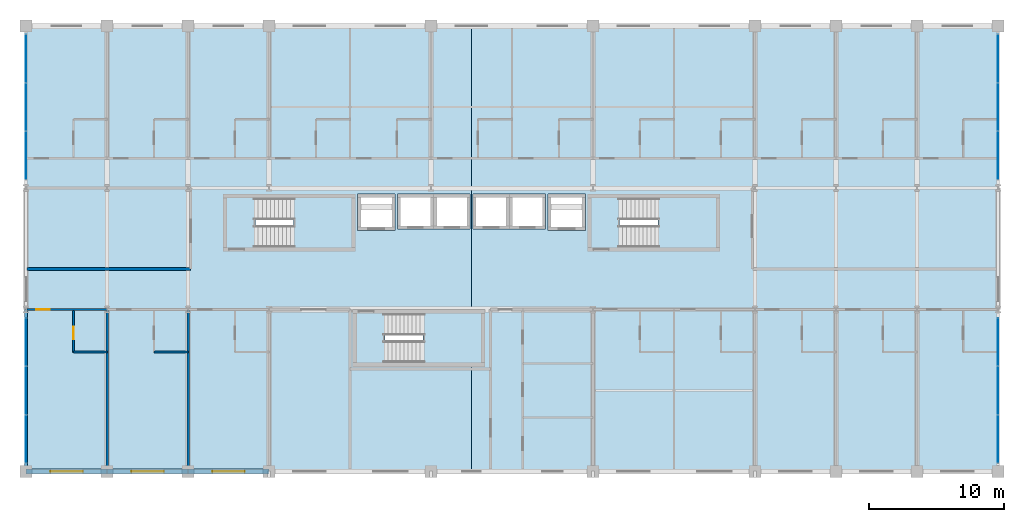
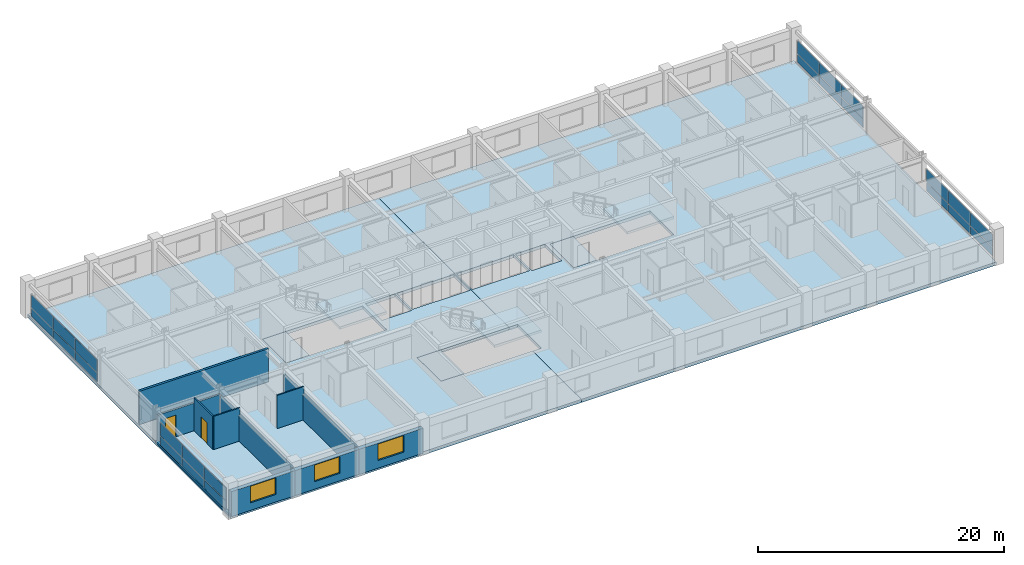
# One storey, part 15 of 22: 24 plates, 11 walls, 8 slabs, 3 windows, 2 doors, 5 openings, 7 elements without a shape of their own.
"""IFC4 building model written with IfcOpenShell, lengths in metres."""

import ifcopenshell
import ifcopenshell.guid

model = None  # the IFC model being written
_history = None  # IfcOwnerHistory: only IFC2X3 demands one
_inside = {}  # id of a spatial element -> (the spatial element, [elements in it])
_under = {}  # id of a project, library or spatial element -> (it, [spatial elements below it])
_declared = {}  # id of a project -> (the project, [libraries it declares])
_typed = {}  # id of a type object -> (the type object, [elements of that type])
_made_of = {}  # id of a material, layer set ... -> (it, [elements and type objects made of it])


def new_model(schema):
    """Start an empty IFC model of exactly this schema.

    Asked for "IFC4X3", IfcOpenShell would pick the latest addendum, in which some entities
    have other attributes; the version numbers below select the first issue.
    IFC2X3 requires an IfcOwnerHistory on every rooted entity: one is made here for all.
    """
    global model, _history
    if schema == "IFC4X3":
        model = ifcopenshell.file(schema_version=(4, 3, 0, 0))
    else:
        model = ifcopenshell.file(schema=schema)
    _inside.clear()
    _under.clear()
    _declared.clear()
    _typed.clear()
    _made_of.clear()
    _history = None
    if model.schema == "IFC2X3":
        org = make("IfcOrganization", Name="unknown")
        user = make(
            "IfcPersonAndOrganization",
            ThePerson=make("IfcPerson", FamilyName="unknown"),
            TheOrganization=org,
        )
        app = make(
            "IfcApplication",
            ApplicationDeveloper=org,
            Version="unknown",
            ApplicationFullName="unknown",
            ApplicationIdentifier="unknown",
        )
        _history = make(
            "IfcOwnerHistory",
            OwningUser=user,
            OwningApplication=app,
            ChangeAction="ADDED",
            CreationDate=0,
        )
    return model


def make(cls, **values):
    """One entity of the class cls with the attributes given. An attribute that is None is left unset."""
    return model.create_entity(
        cls, **{name: value for name, value in values.items() if value is not None}
    )


def rooted(cls, **values):
    """An entity with a GlobalId (a new one), such as an element, a storey or a relation."""
    return make(cls, GlobalId=ifcopenshell.guid.new(), OwnerHistory=_history, **values)


def si_unit(unit_type, name, prefix=None):
    """IfcSIUnit, for example si_unit("LENGTHUNIT", "METRE", prefix="MILLI")."""
    return make("IfcSIUnit", UnitType=unit_type, Prefix=prefix, Name=name)


def assignment(units):
    """IfcUnitAssignment: the units of a project."""
    return None if units is None else make("IfcUnitAssignment", Units=units)


def point(xyz):
    """IfcCartesianPoint."""
    return None if xyz is None else make("IfcCartesianPoint", Coordinates=xyz)


def direction(xyz):
    """IfcDirection."""
    return None if xyz is None else make("IfcDirection", DirectionRatios=xyz)


def frame(location, z_axis=None, x_axis=None):
    """IfcAxis2Placement3D, a coordinate frame: its origin and axes. An axis left out is left unset."""
    return make(
        "IfcAxis2Placement3D",
        Location=point(location),
        Axis=direction(z_axis),
        RefDirection=direction(x_axis),
    )


def frame_2d(location, x_axis=None):
    """IfcAxis2Placement2D, a coordinate frame in the plane: its origin and x axis."""
    return make(
        "IfcAxis2Placement2D", Location=point(location), RefDirection=direction(x_axis)
    )


def origin():
    """The frame at (0, 0, 0) with its axes left unset."""
    return frame((0.0, 0.0, 0.0))


def origin_2d():
    """The frame at (0, 0) in the plane with its x axis left unset."""
    return frame_2d((0.0, 0.0))


def place(relative_to, where):
    """IfcLocalPlacement: puts the frame where relative to a parent placement (None: the world)."""
    return make(
        "IfcLocalPlacement", PlacementRelTo=relative_to, RelativePlacement=where
    )


def context(
    kind, dimensions, precision=None, world=None, true_north=None, identifier=None
):
    """IfcGeometricRepresentationContext, for example the 3D "Model" context."""
    return make(
        "IfcGeometricRepresentationContext",
        ContextIdentifier=identifier,
        ContextType=kind,
        CoordinateSpaceDimension=dimensions,
        Precision=precision,
        WorldCoordinateSystem=world,
        TrueNorth=true_north,
    )


def subcontext(parent, identifier, kind, view, scale=None):
    """IfcGeometricRepresentationSubContext, for example "Body" below "Model"."""
    return make(
        "IfcGeometricRepresentationSubContext",
        ContextIdentifier=identifier,
        ContextType=kind,
        ParentContext=parent,
        TargetScale=scale,
        TargetView=view,
    )


def project(units=None, contexts=None):
    """IfcProject with its units and contexts."""
    return rooted(
        "IfcProject",
        Name="project",
        RepresentationContexts=contexts,
        UnitsInContext=assignment(units),
    )


def spatial(cls, under=None, at=None, **own):
    """A site, building, storey or space (cls), placed at a placement, below another one or the project."""
    s = rooted(cls, ObjectPlacement=at, **own)
    if under is not None:
        _under.setdefault(under.id(), (under, []))[1].append(s)
    return s


def polyline(points):
    """IfcPolyline through the points."""
    return make("IfcPolyline", Points=[point(p) for p in points])


def profile(cls, at=None, kind="AREA", **sizes):
    """A parametric profile (cls). Its sizes go by their IFC names, for example OverallWidth=200.0."""
    return make(cls, ProfileType=kind, Position=at, **sizes)


def rectangle(**sizes):
    """IfcRectangleProfileDef."""
    return profile("IfcRectangleProfileDef", **sizes)


def outline(outer, holes=None, kind="AREA"):
    """IfcArbitraryClosedProfileDef: a profile drawn as a closed curve; with holes, ...WithVoids."""
    if holes is None:
        return make("IfcArbitraryClosedProfileDef", ProfileType=kind, OuterCurve=outer)
    return make(
        "IfcArbitraryProfileDefWithVoids",
        ProfileType=kind,
        OuterCurve=outer,
        InnerCurves=holes,
    )


def extrude(swept, where, along, depth):
    """IfcExtrudedAreaSolid: the profile swept, set in the frame where, extruded along a direction by depth."""
    return make(
        "IfcExtrudedAreaSolid",
        SweptArea=swept,
        Position=where,
        ExtrudedDirection=direction(along),
        Depth=depth,
    )


def shape(context_of_items, identifier, shape_type, items):
    """IfcShapeRepresentation: the items that make up one representation, for example the "Body"."""
    return make(
        "IfcShapeRepresentation",
        ContextOfItems=context_of_items,
        RepresentationIdentifier=identifier,
        RepresentationType=shape_type,
        Items=items,
    )


def material(Name=None, Category=None):
    """IfcMaterial."""
    return make("IfcMaterial", Name=Name, Category=Category)


def layer(
    of_material, thickness, ventilated=None, Name=None, Category=None, Priority=None
):
    """IfcMaterialLayer: one layer of a wall or slab, of a material (None: an air gap)."""
    return make(
        "IfcMaterialLayer",
        Material=of_material,
        LayerThickness=thickness,
        IsVentilated=ventilated,
        Name=Name,
        Category=Category,
        Priority=Priority,
    )


def layer_set(layers, Name=None):
    """IfcMaterialLayerSet."""
    return make("IfcMaterialLayerSet", MaterialLayers=layers, LayerSetName=Name)


def made_of(thing, what):
    """Note that an element or type object is made of a material, layer set ...; save() writes the relation."""
    if what is not None:
        _made_of.setdefault(what.id(), (what, []))[1].append(thing)
    return thing


def type_object(cls, material=None, **own):
    """A type object (cls), such as IfcWallType, which elements share."""
    return made_of(rooted(cls, **own), material)


def element(
    cls,
    number,
    at=None,
    inside=None,
    cuts=None,
    type_object=None,
    material=None,
    context=None,
    identifier="Body",
    shape_type=None,
    held_by="IfcProductDefinitionShape",
    body=None,
    shapes=None,
    **own,
):
    """One element of the class cls, such as IfcWall. Its Tag is "e" and its number.

    at: its placement. inside: the storey or other place that contains it. cuts: it is an
    opening in that element (IfcRelVoidsElement). A single representation is given by context,
    identifier, shape_type and body (its items); several are given by shapes. held_by: the class
    of the entity that holds the representations. save() writes the other relations.
    """
    e = rooted(cls, Tag="e%d" % number, ObjectPlacement=at, **own)
    if body is not None:
        shapes = [shape(context, identifier, shape_type, body)]
    if shapes is not None:
        e.Representation = make(held_by, Representations=shapes)
    if inside is not None:
        _inside.setdefault(inside.id(), (inside, []))[1].append(e)
    if cuts is not None:
        rooted(
            "IfcRelVoidsElement", RelatingBuildingElement=cuts, RelatedOpeningElement=e
        )
    if type_object is not None:
        _typed.setdefault(type_object.id(), (type_object, []))[1].append(e)
    return made_of(e, material)


def fill(opening, filler):
    """IfcRelFillsElement: the door or window that sits in an opening."""
    return rooted(
        "IfcRelFillsElement",
        RelatingOpeningElement=opening,
        RelatedBuildingElement=filler,
    )


def aggregate(whole, parts):
    """IfcRelAggregates: a whole, such as a stair, and the parts it consists of."""
    return rooted("IfcRelAggregates", RelatingObject=whole, RelatedObjects=parts)


def save(model, path):
    """Write the relations noted so far, then the file.

    IfcRelAggregates (storeys below a building ...), IfcRelContainedInSpatialStructure (elements
    in a storey), IfcRelDefinesByType, IfcRelAssociatesMaterial and IfcRelDeclares: one each for
    every whole, place, type object, material and project.
    """
    for whole, parts in _under.values():
        aggregate(whole, parts)
    for where, things in _inside.values():
        rooted(
            "IfcRelContainedInSpatialStructure",
            RelatedElements=things,
            RelatingStructure=where,
        )
    for kind, things in _typed.values():
        rooted("IfcRelDefinesByType", RelatedObjects=things, RelatingType=kind)
    for what, things in _made_of.values():
        rooted("IfcRelAssociatesMaterial", RelatedObjects=things, RelatingMaterial=what)
    for by, libraries in _declared.values():
        rooted("IfcRelDeclares", RelatingContext=by, RelatedDefinitions=libraries)
    model.write(path)


model = new_model("IFC4")

# Units and contexts
model_context = context("Model", 3, precision=1e-05, world=origin(), true_north=direction((0.0, 1.0)))
body_context = subcontext(model_context, "Body", "Model", "MODEL_VIEW")
ifc_project = project(units=[si_unit("LENGTHUNIT", "METRE"), si_unit("AREAUNIT", "SQUARE_METRE"), si_unit("VOLUMEUNIT", "CUBIC_METRE"), si_unit("PLANEANGLEUNIT", "RADIAN"), si_unit("MASSUNIT", "GRAM", prefix="KILO")], contexts=[model_context])

# Site, building, storey
site_placement = place(None, origin())
site = spatial("IfcSite", under=ifc_project, at=site_placement, CompositionType="ELEMENT")
building_placement = place(site_placement, origin())
building = spatial("IfcBuilding", under=site, at=building_placement, Name="Kaldorvane Square Convention Centre", CompositionType="ELEMENT")
storey_placement = place(building_placement, frame((0.0, 0.0, 31.199996948242188)))
storey = spatial("IfcBuildingStorey", under=building, at=storey_placement, Name="L06", CompositionType="ELEMENT", Elevation=31.199996948242188)

# Curtain wall, plates
ifc_material_1 = material(Name="Anodized Aluminum and Low-E Insulated Glazing", Category="aluminium")
curtain_wall_type_1 = type_object("IfcCurtainWallType", Name="CW-UNI-HTL-A", PredefinedType="USERDEFINED", material=ifc_material_1)
curtain_wall_1_placement = place(storey_placement, origin())
curtain_wall_1 = element("IfcCurtainWall", 1, at=curtain_wall_1_placement, inside=storey, type_object=curtain_wall_type_1, Name="Curtain Wall CW-10 (L06)", ObjectType="UNITISED GLAZING", PredefinedType="USERDEFINED")
ifc_layer_1 = layer(ifc_material_1, 0.0240020751953125)
ifc_layer_set_1 = layer_set([ifc_layer_1], Name="Anodized Aluminum and Low-E Insulated Glazing")
plate_type_1 = type_object("IfcPlateType", Name="CW-PNL-11", PredefinedType="CURTAIN_PANEL", material=ifc_layer_set_1)
plate_1_placement = place(storey_placement, frame((96.0, 86.41499328613281, 0.2050018310546875), z_axis=(0.0, 0.0, 1.0), x_axis=(0.0, 1.0, 0.0)))
plate_1 = element("IfcPlate", 2, at=plate_1_placement, type_object=plate_type_1, Name="CW-10 panel 1.1", PredefinedType="CURTAIN_PANEL", context=body_context, shape_type="SweptSolid", body=[
    extrude(rectangle(XDim=3.5099945068359375, YDim=0.0240020751953125, at=origin_2d()), origin(), (0.0, 0.0, 1.0), 0.8175048828125),
])
plate_2_placement = place(storey_placement, frame((96.0, 86.41499328613281, 1.0774993896484375), z_axis=(0.0, 0.0, 1.0), x_axis=(0.0, 1.0, 0.0)))
plate_2 = element("IfcPlate", 3, at=plate_2_placement, type_object=plate_type_1, Name="CW-10 panel 1.2", PredefinedType="CURTAIN_PANEL", context=body_context, shape_type="SweptSolid", body=[
    extrude(rectangle(XDim=3.5099945068359375, YDim=0.0240020751953125, at=origin_2d()), origin(), (0.0, 0.0, 1.0), 1.277496337890625),
])
plate_3_placement = place(storey_placement, frame((96.0, 90.0, 0.2050018310546875), z_axis=(0.0, 0.0, 1.0), x_axis=(0.0, 1.0, 0.0)))
plate_3 = element("IfcPlate", 4, at=plate_3_placement, type_object=plate_type_1, Name="CW-10 panel 2.1", PredefinedType="CURTAIN_PANEL", context=body_context, shape_type="SweptSolid", body=[
    extrude(rectangle(XDim=3.5399932861328125, YDim=0.0240020751953125, at=origin_2d()), origin(), (0.0, 0.0, 1.0), 0.8175048828125),
])
plate_4_placement = place(storey_placement, frame((96.0, 90.0, 1.0774993896484375), z_axis=(0.0, 0.0, 1.0), x_axis=(0.0, 1.0, 0.0)))
plate_4 = element("IfcPlate", 5, at=plate_4_placement, type_object=plate_type_1, Name="CW-10 panel 2.2", PredefinedType="CURTAIN_PANEL", context=body_context, shape_type="SweptSolid", body=[
    extrude(rectangle(XDim=3.5399932861328125, YDim=0.0240020751953125, at=origin_2d()), origin(), (0.0, 0.0, 1.0), 1.277496337890625),
])
plate_5_placement = place(storey_placement, frame((96.0, 93.58500671386719, 0.2050018310546875), z_axis=(0.0, 0.0, 1.0), x_axis=(0.0, 1.0, 0.0)))
plate_5 = element("IfcPlate", 6, at=plate_5_placement, type_object=plate_type_1, Name="CW-10 panel 3.1", PredefinedType="CURTAIN_PANEL", context=body_context, shape_type="SweptSolid", body=[
    extrude(rectangle(XDim=3.5099945068359375, YDim=0.0240020751953125, at=origin_2d()), origin(), (0.0, 0.0, 1.0), 0.8175048828125),
])
plate_6_placement = place(storey_placement, frame((96.0, 93.58500671386719, 1.0774993896484375), z_axis=(0.0, 0.0, 1.0), x_axis=(0.0, 1.0, 0.0)))
plate_6 = element("IfcPlate", 7, at=plate_6_placement, type_object=plate_type_1, Name="CW-10 panel 3.2", PredefinedType="CURTAIN_PANEL", context=body_context, shape_type="SweptSolid", body=[
    extrude(rectangle(XDim=3.5099945068359375, YDim=0.0240020751953125, at=origin_2d()), origin(), (0.0, 0.0, 1.0), 1.277496337890625),
])
aggregate(curtain_wall_1, [plate_1, plate_2, plate_3, plate_4, plate_5, plate_6])

curtain_wall_2_placement = place(storey_placement, origin())
curtain_wall_2 = element("IfcCurtainWall", 8, at=curtain_wall_2_placement, inside=storey, type_object=curtain_wall_type_1, Name="Curtain Wall CW-10 (L06)", ObjectType="UNITISED GLAZING", PredefinedType="USERDEFINED")
plate_7_placement = place(storey_placement, frame((96.0, 107.41499328613281, 0.2050018310546875), z_axis=(0.0, 0.0, 1.0), x_axis=(0.0, 1.0, 0.0)))
plate_7 = element("IfcPlate", 9, at=plate_7_placement, type_object=plate_type_1, Name="CW-10 panel 1.1", PredefinedType="CURTAIN_PANEL", context=body_context, shape_type="SweptSolid", body=[
    extrude(rectangle(XDim=3.5099945068359375, YDim=0.0240020751953125, at=origin_2d()), origin(), (0.0, 0.0, 1.0), 0.8175048828125),
])
plate_8_placement = place(storey_placement, frame((96.0, 107.41499328613281, 1.0774993896484375), z_axis=(0.0, 0.0, 1.0), x_axis=(0.0, 1.0, 0.0)))
plate_8 = element("IfcPlate", 10, at=plate_8_placement, type_object=plate_type_1, Name="CW-10 panel 1.2", PredefinedType="CURTAIN_PANEL", context=body_context, shape_type="SweptSolid", body=[
    extrude(rectangle(XDim=3.5099945068359375, YDim=0.0240020751953125, at=origin_2d()), origin(), (0.0, 0.0, 1.0), 1.277496337890625),
])
plate_9_placement = place(storey_placement, frame((96.0, 111.0, 0.2050018310546875), z_axis=(0.0, 0.0, 1.0), x_axis=(0.0, 1.0, 0.0)))
plate_9 = element("IfcPlate", 11, at=plate_9_placement, type_object=plate_type_1, Name="CW-10 panel 2.1", PredefinedType="CURTAIN_PANEL", context=body_context, shape_type="SweptSolid", body=[
    extrude(rectangle(XDim=3.5399932861328125, YDim=0.0240020751953125, at=origin_2d()), origin(), (0.0, 0.0, 1.0), 0.8175048828125),
])
plate_10_placement = place(storey_placement, frame((96.0, 111.0, 1.0774993896484375), z_axis=(0.0, 0.0, 1.0), x_axis=(0.0, 1.0, 0.0)))
plate_10 = element("IfcPlate", 12, at=plate_10_placement, type_object=plate_type_1, Name="CW-10 panel 2.2", PredefinedType="CURTAIN_PANEL", context=body_context, shape_type="SweptSolid", body=[
    extrude(rectangle(XDim=3.5399932861328125, YDim=0.0240020751953125, at=origin_2d()), origin(), (0.0, 0.0, 1.0), 1.277496337890625),
])
plate_11_placement = place(storey_placement, frame((96.0, 114.58500671386719, 0.2050018310546875), z_axis=(0.0, 0.0, 1.0), x_axis=(0.0, 1.0, 0.0)))
plate_11 = element("IfcPlate", 13, at=plate_11_placement, type_object=plate_type_1, Name="CW-10 panel 3.1", PredefinedType="CURTAIN_PANEL", context=body_context, shape_type="SweptSolid", body=[
    extrude(rectangle(XDim=3.5099945068359375, YDim=0.0240020751953125, at=origin_2d()), origin(), (0.0, 0.0, 1.0), 0.8175048828125),
])
plate_12_placement = place(storey_placement, frame((96.0, 114.58500671386719, 1.0774993896484375), z_axis=(0.0, 0.0, 1.0), x_axis=(0.0, 1.0, 0.0)))
plate_12 = element("IfcPlate", 14, at=plate_12_placement, type_object=plate_type_1, Name="CW-10 panel 3.2", PredefinedType="CURTAIN_PANEL", context=body_context, shape_type="SweptSolid", body=[
    extrude(rectangle(XDim=3.5099945068359375, YDim=0.0240020751953125, at=origin_2d()), origin(), (0.0, 0.0, 1.0), 1.277496337890625),
])
aggregate(curtain_wall_2, [plate_7, plate_8, plate_9, plate_10, plate_11, plate_12])

curtain_wall_type_2 = type_object("IfcCurtainWallType", Name="CW-UNI-HTL-B", PredefinedType="USERDEFINED", material=ifc_material_1)
curtain_wall_3_placement = place(storey_placement, origin())
curtain_wall_3 = element("IfcCurtainWall", 15, at=curtain_wall_3_placement, inside=storey, type_object=curtain_wall_type_2, Name="Curtain Wall CW-11 (L06)", ObjectType="UNITISED GLAZING", PredefinedType="USERDEFINED")
ifc_layer_2 = layer(ifc_material_1, 0.0460052490234375)
ifc_layer_set_2 = layer_set([ifc_layer_2], Name="Anodized Aluminum and Low-E Insulated Glazing")
plate_type_2 = type_object("IfcPlateType", Name="CW-PNL-12", PredefinedType="CURTAIN_PANEL", material=ifc_layer_set_2)
plate_13_placement = place(storey_placement, frame((24.0, 93.58500671386719, 0.2050018310546875), z_axis=(0.0, 0.0, 1.0), x_axis=(0.0, -1.0, 0.0)))
plate_13 = element("IfcPlate", 16, at=plate_13_placement, type_object=plate_type_2, Name="CW-11 panel 1.1", PredefinedType="CURTAIN_PANEL", context=body_context, shape_type="SweptSolid", body=[
    extrude(rectangle(XDim=3.5099945068359375, YDim=0.0460052490234375, at=origin_2d()), origin(), (0.0, 0.0, 1.0), 0.8175048828125),
])
plate_14_placement = place(storey_placement, frame((24.0, 93.58500671386719, 1.0774993896484375), z_axis=(0.0, 0.0, 1.0), x_axis=(0.0, -1.0, 0.0)))
plate_14 = element("IfcPlate", 17, at=plate_14_placement, type_object=plate_type_2, Name="CW-11 panel 1.2", PredefinedType="CURTAIN_PANEL", context=body_context, shape_type="SweptSolid", body=[
    extrude(rectangle(XDim=3.5099945068359375, YDim=0.0460052490234375, at=origin_2d()), origin(), (0.0, 0.0, 1.0), 1.277496337890625),
])
plate_15_placement = place(storey_placement, frame((24.0, 90.0, 0.2050018310546875), z_axis=(0.0, 0.0, 1.0), x_axis=(0.0, -1.0, 0.0)))
plate_15 = element("IfcPlate", 18, at=plate_15_placement, type_object=plate_type_2, Name="CW-11 panel 2.1", PredefinedType="CURTAIN_PANEL", context=body_context, shape_type="SweptSolid", body=[
    extrude(rectangle(XDim=3.5399932861328125, YDim=0.0460052490234375, at=origin_2d()), origin(), (0.0, 0.0, 1.0), 0.8175048828125),
])
plate_16_placement = place(storey_placement, frame((24.0, 90.0, 1.0774993896484375), z_axis=(0.0, 0.0, 1.0), x_axis=(0.0, -1.0, 0.0)))
plate_16 = element("IfcPlate", 19, at=plate_16_placement, type_object=plate_type_2, Name="CW-11 panel 2.2", PredefinedType="CURTAIN_PANEL", context=body_context, shape_type="SweptSolid", body=[
    extrude(rectangle(XDim=3.5399932861328125, YDim=0.0460052490234375, at=origin_2d()), origin(), (0.0, 0.0, 1.0), 1.277496337890625),
])
plate_17_placement = place(storey_placement, frame((24.0, 86.41499328613281, 0.2050018310546875), z_axis=(0.0, 0.0, 1.0), x_axis=(0.0, -1.0, 0.0)))
plate_17 = element("IfcPlate", 20, at=plate_17_placement, type_object=plate_type_2, Name="CW-11 panel 3.1", PredefinedType="CURTAIN_PANEL", context=body_context, shape_type="SweptSolid", body=[
    extrude(rectangle(XDim=3.5099945068359375, YDim=0.0460052490234375, at=origin_2d()), origin(), (0.0, 0.0, 1.0), 0.8175048828125),
])
plate_18_placement = place(storey_placement, frame((24.0, 86.41499328613281, 1.0774993896484375), z_axis=(0.0, 0.0, 1.0), x_axis=(0.0, -1.0, 0.0)))
plate_18 = element("IfcPlate", 21, at=plate_18_placement, type_object=plate_type_2, Name="CW-11 panel 3.2", PredefinedType="CURTAIN_PANEL", context=body_context, shape_type="SweptSolid", body=[
    extrude(rectangle(XDim=3.5099945068359375, YDim=0.0460052490234375, at=origin_2d()), origin(), (0.0, 0.0, 1.0), 1.277496337890625),
])
aggregate(curtain_wall_3, [plate_13, plate_14, plate_15, plate_16, plate_17, plate_18])

curtain_wall_4_placement = place(storey_placement, origin())
curtain_wall_4 = element("IfcCurtainWall", 22, at=curtain_wall_4_placement, inside=storey, type_object=curtain_wall_type_2, Name="Curtain Wall CW-11 (L06)", ObjectType="UNITISED GLAZING", PredefinedType="USERDEFINED")
plate_19_placement = place(storey_placement, frame((24.0, 114.58500671386719, 0.2050018310546875), z_axis=(0.0, 0.0, 1.0), x_axis=(0.0, -1.0, 0.0)))
plate_19 = element("IfcPlate", 23, at=plate_19_placement, type_object=plate_type_2, Name="CW-11 panel 1.1", PredefinedType="CURTAIN_PANEL", context=body_context, shape_type="SweptSolid", body=[
    extrude(rectangle(XDim=3.5099945068359375, YDim=0.0460052490234375, at=origin_2d()), origin(), (0.0, 0.0, 1.0), 0.8175048828125),
])
plate_20_placement = place(storey_placement, frame((24.0, 114.58500671386719, 1.0774993896484375), z_axis=(0.0, 0.0, 1.0), x_axis=(0.0, -1.0, 0.0)))
plate_20 = element("IfcPlate", 24, at=plate_20_placement, type_object=plate_type_2, Name="CW-11 panel 1.2", PredefinedType="CURTAIN_PANEL", context=body_context, shape_type="SweptSolid", body=[
    extrude(rectangle(XDim=3.5099945068359375, YDim=0.0460052490234375, at=origin_2d()), origin(), (0.0, 0.0, 1.0), 1.277496337890625),
])
plate_21_placement = place(storey_placement, frame((24.0, 111.0, 0.2050018310546875), z_axis=(0.0, 0.0, 1.0), x_axis=(0.0, -1.0, 0.0)))
plate_21 = element("IfcPlate", 25, at=plate_21_placement, type_object=plate_type_2, Name="CW-11 panel 2.1", PredefinedType="CURTAIN_PANEL", context=body_context, shape_type="SweptSolid", body=[
    extrude(rectangle(XDim=3.5399932861328125, YDim=0.0460052490234375, at=origin_2d()), origin(), (0.0, 0.0, 1.0), 0.8175048828125),
])
plate_22_placement = place(storey_placement, frame((24.0, 111.0, 1.0774993896484375), z_axis=(0.0, 0.0, 1.0), x_axis=(0.0, -1.0, 0.0)))
plate_22 = element("IfcPlate", 26, at=plate_22_placement, type_object=plate_type_2, Name="CW-11 panel 2.2", PredefinedType="CURTAIN_PANEL", context=body_context, shape_type="SweptSolid", body=[
    extrude(rectangle(XDim=3.5399932861328125, YDim=0.0460052490234375, at=origin_2d()), origin(), (0.0, 0.0, 1.0), 1.277496337890625),
])
plate_23_placement = place(storey_placement, frame((24.0, 107.41499328613281, 0.2050018310546875), z_axis=(0.0, 0.0, 1.0), x_axis=(0.0, -1.0, 0.0)))
plate_23 = element("IfcPlate", 27, at=plate_23_placement, type_object=plate_type_2, Name="CW-11 panel 3.1", PredefinedType="CURTAIN_PANEL", context=body_context, shape_type="SweptSolid", body=[
    extrude(rectangle(XDim=3.5099945068359375, YDim=0.0460052490234375, at=origin_2d()), origin(), (0.0, 0.0, 1.0), 0.8175048828125),
])
plate_24_placement = place(storey_placement, frame((24.0, 107.41499328613281, 1.0774993896484375), z_axis=(0.0, 0.0, 1.0), x_axis=(0.0, -1.0, 0.0)))
plate_24 = element("IfcPlate", 28, at=plate_24_placement, type_object=plate_type_2, Name="CW-11 panel 3.2", PredefinedType="CURTAIN_PANEL", context=body_context, shape_type="SweptSolid", body=[
    extrude(rectangle(XDim=3.5099945068359375, YDim=0.0460052490234375, at=origin_2d()), origin(), (0.0, 0.0, 1.0), 1.277496337890625),
])
aggregate(curtain_wall_4, [plate_19, plate_20, plate_21, plate_22, plate_23, plate_24])

# Slabs
ifc_material_2 = material(Name="Concrete f'c = 42 MPa (Normalweight)", Category="concrete")
ifc_layer_3 = layer(ifc_material_2, 0.279998779296875)
ifc_layer_set_3 = layer_set([ifc_layer_3], Name="Concrete f'c = 42 MPa (Normalweight)")
slab_type_1 = type_object("IfcSlabType", Name="SL-FLND-280", PredefinedType="FLOOR", material=ifc_layer_set_3)
slab_1_placement = place(storey_placement, frame((0.0, 0.0, -0.279998779296875)))
element("IfcSlab", 29, at=slab_1_placement, inside=storey, type_object=slab_type_1, Name="Tower Exit Stair T1 Floor Landing (L06)", PredefinedType="FLOOR", context=body_context, shape_type="SweptSolid", body=[
    extrude(outline(polyline([(38.779998779296875, 100.49000549316406), (40.97999572753906, 100.49000549316406), (40.97999572753906, 104.3699951171875), (38.779998779296875, 104.3699951171875), (38.779998779296875, 100.49000549316406)])), origin(), (0.0, 0.0, 1.0), 0.279998779296875),
])
slab_2_placement = place(storey_placement, frame((0.0, 0.0, -0.279998779296875)))
element("IfcSlab", 30, at=slab_2_placement, inside=storey, type_object=slab_type_1, Name="Tower Exit Stair T2 Floor Landing (L06)", PredefinedType="FLOOR", context=body_context, shape_type="SweptSolid", body=[
    extrude(outline(polyline([(65.77999877929688, 100.49000549316406), (67.97999572753906, 100.49000549316406), (67.97999572753906, 104.3699951171875), (65.77999877929688, 104.3699951171875), (65.77999877929688, 100.49000549316406)])), origin(), (0.0, 0.0, 1.0), 0.279998779296875),
])
slab_3_placement = place(storey_placement, frame((0.0, 0.0, -0.279998779296875)))
element("IfcSlab", 31, at=slab_3_placement, inside=storey, type_object=slab_type_1, Name="Tower Exit Stair T3 Floor Landing (L06)", PredefinedType="FLOOR", context=body_context, shape_type="SweptSolid", body=[
    extrude(outline(polyline([(48.3800048828125, 91.94000244140625), (50.58000183105469, 91.94000244140625), (50.58000183105469, 95.82000732421875), (48.3800048828125, 95.82000732421875), (48.3800048828125, 91.94000244140625)])), origin(), (0.0, 0.0, 1.0), 0.279998779296875),
])
ifc_layer_4 = layer(ifc_material_2, 0.30999755859375)
ifc_layer_set_4 = layer_set([ifc_layer_4], Name="Concrete f'c = 42 MPa (Normalweight)")
slab_type_2 = type_object("IfcSlabType", Name="SL-HTL-250", PredefinedType="FLOOR", material=ifc_layer_set_4)
slab_4_placement = place(storey_placement, frame((0.0, 0.0, -0.30999755859375)))
element("IfcSlab", 32, at=slab_4_placement, inside=storey, type_object=slab_type_2, Name="Hotel Tower Floor Slab L06-1.1", PredefinedType="FLOOR", context=body_context, shape_type="SweptSolid", body=[
    extrude(outline(polyline([(24.0, 117.0), (57.0, 117.0), (57.0, 95.82000732421875), (48.3800048828125, 95.82000732421875), (48.3800048828125, 91.94000244140625), (57.0, 91.94000244140625), (57.0, 84.0), (24.0, 84.0), (24.0, 117.0)]), holes=[polyline([(38.779998779296875, 104.3699951171875), (38.779998779296875, 100.49000549316406), (48.220001220703125, 100.49000549316406), (48.220001220703125, 104.3699951171875), (38.779998779296875, 104.3699951171875)]), polyline([(48.55000305175781, 104.55000305175781), (48.55000305175781, 101.85000610351562), (51.350006103515625, 101.85000610351562), (51.350006103515625, 104.55000305175781), (48.55000305175781, 104.55000305175781)]), polyline([(51.5, 104.55000305175781), (51.5, 101.94999694824219), (54.19999694824219, 101.94999694824219), (56.899993896484375, 101.94999694824219), (56.899993896484375, 104.55000305175781), (54.19999694824219, 104.55000305175781), (51.5, 104.55000305175781)])]), origin(), (0.0, 0.0, 1.0), 0.30999755859375),
])
slab_5_placement = place(storey_placement, frame((0.0, 0.0, -0.30999755859375)))
element("IfcSlab", 33, at=slab_5_placement, inside=storey, type_object=slab_type_2, Name="Hotel Tower Floor Slab L06-2.1", PredefinedType="FLOOR", context=body_context, shape_type="SweptSolid", body=[
    extrude(outline(polyline([(96.0, 117.0), (96.0, 84.0), (57.0, 84.0), (57.0, 91.94000244140625), (57.82000732421875, 91.94000244140625), (57.82000732421875, 95.82000732421875), (57.0, 95.82000732421875), (57.0, 117.0), (96.0, 117.0)]), holes=[polyline([(65.77999877929688, 104.3699951171875), (65.77999877929688, 100.49000549316406), (75.22000122070312, 100.49000549316406), (75.22000122070312, 104.3699951171875), (65.77999877929688, 104.3699951171875)]), polyline([(62.649993896484375, 104.55000305175781), (62.649993896484375, 101.85000610351562), (65.44999694824219, 101.85000610351562), (65.44999694824219, 104.55000305175781), (62.649993896484375, 104.55000305175781)]), polyline([(57.100006103515625, 104.55000305175781), (57.100006103515625, 101.94999694824219), (59.80000305175781, 101.94999694824219), (62.5, 101.94999694824219), (62.5, 104.55000305175781), (59.80000305175781, 104.55000305175781), (57.100006103515625, 104.55000305175781)])]), origin(), (0.0, 0.0, 1.0), 0.30999755859375),
])

# Stair, slab
stair_type = type_object("IfcStairType", Name="ST-DL-1600-3600", PredefinedType="HALF_TURN_STAIR", material=ifc_material_2)
stair_1_placement = place(storey_placement, origin())
stair_1 = element("IfcStair", 34, at=stair_1_placement, inside=storey, type_object=stair_type, Name="Tower Exit Stair T1 (L06)", PredefinedType="HALF_TURN_STAIR")
ifc_layer_5 = layer(ifc_material_2, 0.2400054931640625)
ifc_layer_set_5 = layer_set([ifc_layer_5], Name="Concrete f'c = 42 MPa (Normalweight)")
slab_type_3 = type_object("IfcSlabType", Name="SL-LAND-240", PredefinedType="LANDING", material=ifc_layer_set_5)
slab_6_placement = place(storey_placement, frame((0.0, 0.0, 1.55999755859375)))
slab_6 = element("IfcSlab", 35, at=slab_6_placement, type_object=slab_type_3, Name="Tower Exit Stair T1 Half Landing (L06)", PredefinedType="LANDING", context=body_context, shape_type="SweptSolid", body=[
    extrude(outline(polyline([(43.82000732421875, 100.49000549316406), (48.220001220703125, 100.49000549316406), (48.220001220703125, 104.3699951171875), (43.82000732421875, 104.3699951171875), (43.82000732421875, 100.49000549316406)])), origin(), (0.0, 0.0, 1.0), 0.2400054931640625),
])
aggregate(stair_1, [slab_6])

stair_2_placement = place(storey_placement, origin())
stair_2 = element("IfcStair", 36, at=stair_2_placement, inside=storey, type_object=stair_type, Name="Tower Exit Stair T2 (L06)", PredefinedType="HALF_TURN_STAIR")
slab_7_placement = place(storey_placement, frame((0.0, 0.0, 1.55999755859375)))
slab_7 = element("IfcSlab", 37, at=slab_7_placement, type_object=slab_type_3, Name="Tower Exit Stair T2 Half Landing (L06)", PredefinedType="LANDING", context=body_context, shape_type="SweptSolid", body=[
    extrude(outline(polyline([(70.82000732421875, 100.49000549316406), (75.22000122070312, 100.49000549316406), (75.22000122070312, 104.3699951171875), (70.82000732421875, 104.3699951171875), (70.82000732421875, 100.49000549316406)])), origin(), (0.0, 0.0, 1.0), 0.2400054931640625),
])
aggregate(stair_2, [slab_7])

stair_3_placement = place(storey_placement, origin())
stair_3 = element("IfcStair", 38, at=stair_3_placement, inside=storey, type_object=stair_type, Name="Tower Exit Stair T3 (L06)", PredefinedType="HALF_TURN_STAIR")
slab_8_placement = place(storey_placement, frame((0.0, 0.0, 1.55999755859375)))
slab_8 = element("IfcSlab", 39, at=slab_8_placement, type_object=slab_type_3, Name="Tower Exit Stair T3 Half Landing (L06)", PredefinedType="LANDING", context=body_context, shape_type="SweptSolid", body=[
    extrude(outline(polyline([(53.41999816894531, 91.94000244140625), (57.82000732421875, 91.94000244140625), (57.82000732421875, 95.82000732421875), (53.41999816894531, 95.82000732421875), (53.41999816894531, 91.94000244140625)])), origin(), (0.0, 0.0, 1.0), 0.2400054931640625),
])
aggregate(stair_3, [slab_8])

# Wall, opening, door
ifc_material_3 = material(Name="Fire-Rated Gypsum Board on Acoustic Steel Studs", Category="steel")
ifc_layer_6 = layer(ifc_material_3, 0.125)
ifc_layer_set_6 = layer_set([ifc_layer_6], Name="Fire-Rated Gypsum Board on Acoustic Steel Studs")
wall_type_1 = type_object("IfcWallType", Name="WL-BATH-125", PredefinedType="PARTITIONING", material=ifc_layer_set_6)
wall_1_placement = place(storey_placement, frame((27.520004272460938, 92.85000610351562, 0.0), z_axis=(0.0, 0.0, 1.0), x_axis=(0.0, 1.0, 0.0)))
wall_1 = element("IfcWall", 40, at=wall_1_placement, inside=storey, type_object=wall_type_1, Name="En-Suite 613 West Wall", PredefinedType="PARTITIONING", context=body_context, shape_type="SweptSolid", body=[
    extrude(rectangle(XDim=3.05999755859375, YDim=0.125, at=frame_2d((1.529998779296875, 0.0))), origin(), (0.0, 0.0, 1.0), 3.290008544921875),
])
opening_1_placement = place(wall_1_placement, frame((0.9499969482421875, 0.0, 0.0)))
opening_1 = element("IfcOpeningElement", 41, at=opening_1_placement, cuts=wall_1, Name="Opening ID-12", PredefinedType="OPENING", context=body_context, shape_type="SweptSolid", body=[
    extrude(rectangle(XDim=0.9199981689453125, YDim=2.100006103515625, at=frame_2d((0.459991455078125, 1.0500030517578125))), frame((0.0, 0.0774993896484375, 0.0), z_axis=(0.0, -1.0, 0.0), x_axis=(1.0, 0.0, 0.0)), (0.0, 0.0, 1.0), 0.154998779296875),
])
ifc_material_4 = material(Name="Architectural Solid-Core White Oak")
door_type_1 = type_object("IfcDoorType", Name="DR-BATH-0920X2100", OperationType="SINGLE_SWING_RIGHT", PredefinedType="DOOR", material=ifc_material_4)
door_1_placement = place(opening_1_placement, origin())
door_1 = element("IfcDoor", 42, at=door_1_placement, inside=storey, type_object=door_type_1, Name="En-Suite Bathroom 613 Door", OperationType="SINGLE_SWING_RIGHT", OverallHeight=2.100006103515625, OverallWidth=0.9199981689453125, PredefinedType="DOOR", context=body_context, shape_type="SweptSolid", body=[
    extrude(rectangle(XDim=0.9199981689453125, YDim=2.100006103515625, at=frame_2d((0.459991455078125, 1.0500030517578125))), frame((0.0, 0.024993896484375, 0.0), z_axis=(0.0, -1.0, 0.0), x_axis=(1.0, 0.0, 0.0)), (0.0, 0.0, 1.0), 0.0500030517578125),
])
fill(opening_1, door_1)

# Walls
wall_2_placement = place(storey_placement, frame((27.520004272460938, 92.85000610351562, 0.0), z_axis=(0.0, 0.0, 1.0), x_axis=(1.0, 0.0, 0.0)))
element("IfcWall", 43, at=wall_2_placement, inside=storey, type_object=wall_type_1, Name="En-Suite 613 South Wall", PredefinedType="PARTITIONING", context=body_context, shape_type="SweptSolid", body=[
    extrude(rectangle(XDim=2.4799957275390625, YDim=0.125, at=frame_2d((1.239990234375, 0.0))), origin(), (0.0, 0.0, 1.0), 3.290008544921875),
])
wall_3_placement = place(storey_placement, frame((33.47999572753906, 92.85000610351562, 0.0), z_axis=(0.0, 0.0, 1.0), x_axis=(1.0, 0.0, 0.0)))
element("IfcWall", 44, at=wall_3_placement, inside=storey, type_object=wall_type_1, Name="En-Suite 614 South Wall", PredefinedType="PARTITIONING", context=body_context, shape_type="SweptSolid", body=[
    extrude(rectangle(XDim=2.5200042724609375, YDim=0.125, at=frame_2d((1.260009765625, 0.0))), origin(), (0.0, 0.0, 1.0), 3.290008544921875),
])
ifc_layer_7 = layer(ifc_material_3, 0.1999969482421875)
ifc_layer_set_7 = layer_set([ifc_layer_7], Name="Fire-Rated Gypsum Board on Acoustic Steel Studs")
wall_type_2 = type_object("IfcWallType", Name="WL-CORR-200", PredefinedType="PARTITIONING", material=ifc_layer_set_7)
wall_4_placement = place(storey_placement, frame((24.085006713867188, 99.0, 0.0), z_axis=(0.0, 0.0, 1.0), x_axis=(1.0, 0.0, 0.0)))
element("IfcWall", 45, at=wall_4_placement, inside=storey, type_object=wall_type_2, Name="West Sunset Sitting Alcove (L06) S Wall", PredefinedType="PARTITIONING", context=body_context, shape_type="SweptSolid", body=[
    extrude(rectangle(XDim=12.114990234375, YDim=0.1999969482421875, at=frame_2d((6.0574951171875, 0.0))), origin(), (0.0, 0.0, 1.0), 3.290008544921875),
])

# Wall, opening, window
ifc_layer_8 = layer(ifc_material_2, 0.350006103515625)
ifc_layer_set_8 = layer_set([ifc_layer_8], Name="Concrete f'c = 42 MPa (Normalweight)")
wall_type_3 = type_object("IfcWallType", Name="WL-EXT-350", PredefinedType="STANDARD", material=ifc_layer_set_8)
wall_5_placement = place(storey_placement, frame((24.0, 84.0, 0.0), z_axis=(0.0, 0.0, 1.0), x_axis=(1.0, 0.0, 0.0)))
wall_5 = element("IfcWall", 46, at=wall_5_placement, inside=storey, type_object=wall_type_3, Name="Hotel S Brutalist Facade Wall (L06)", PredefinedType="STANDARD", context=body_context, shape_type="SweptSolid", body=[
    extrude(rectangle(XDim=6.0, YDim=0.350006103515625, at=frame_2d((3.0, 0.0))), origin(), (0.0, 0.0, 1.0), 2.4860076904296875),
])
opening_2_placement = place(wall_5_placement, frame((1.8000030517578125, 0.0, 0.75)))
opening_2 = element("IfcOpeningElement", 47, at=opening_2_placement, cuts=wall_5, Name="Opening W-01", PredefinedType="OPENING", context=body_context, shape_type="SweptSolid", body=[
    extrude(rectangle(XDim=2.399993896484375, YDim=1.649993896484375, at=frame_2d((1.1999969482421875, 0.8249969482421875))), frame((0.0, 0.19000244140625, 0.0), z_axis=(0.0, -1.0, 0.0), x_axis=(1.0, 0.0, 0.0)), (0.0, 0.0, 1.0), 0.3800048828125),
])
window_type = type_object("IfcWindowType", Name="WN-HTL-2400X1650", PartitioningType="DOUBLE_PANEL_VERTICAL", PredefinedType="WINDOW", material=ifc_material_1)
window_1_placement = place(opening_2_placement, origin())
window_1 = element("IfcWindow", 48, at=window_1_placement, inside=storey, type_object=window_type, Name="Hotel S Window (L06)", OverallHeight=1.649993896484375, OverallWidth=2.399993896484375, PartitioningType="DOUBLE_PANEL_VERTICAL", PredefinedType="WINDOW", context=body_context, shape_type="SweptSolid", body=[
    extrude(rectangle(XDim=2.399993896484375, YDim=1.649993896484375, at=frame_2d((1.1999969482421875, 0.8249969482421875))), frame((0.0, 0.029998779296875, 0.0), z_axis=(0.0, -1.0, 0.0), x_axis=(1.0, 0.0, 0.0)), (0.0, 0.0, 1.0), 0.05999755859375),
])
fill(opening_2, window_1)

wall_6_placement = place(storey_placement, frame((30.0, 84.0, 0.0), z_axis=(0.0, 0.0, 1.0), x_axis=(1.0, 0.0, 0.0)))
wall_6 = element("IfcWall", 49, at=wall_6_placement, inside=storey, type_object=wall_type_3, Name="Hotel S Brutalist Facade Wall (L06)", PredefinedType="STANDARD", context=body_context, shape_type="SweptSolid", body=[
    extrude(rectangle(XDim=6.0, YDim=0.350006103515625, at=frame_2d((3.0, 0.0))), origin(), (0.0, 0.0, 1.0), 2.4860076904296875),
])
opening_3_placement = place(wall_6_placement, frame((1.8000030517578125, 0.0, 0.75)))
opening_3 = element("IfcOpeningElement", 50, at=opening_3_placement, cuts=wall_6, Name="Opening W-01", PredefinedType="OPENING", context=body_context, shape_type="SweptSolid", body=[
    extrude(rectangle(XDim=2.399993896484375, YDim=1.649993896484375, at=frame_2d((1.1999969482421875, 0.8249969482421875))), frame((0.0, 0.19000244140625, 0.0), z_axis=(0.0, -1.0, 0.0), x_axis=(1.0, 0.0, 0.0)), (0.0, 0.0, 1.0), 0.3800048828125),
])
window_2_placement = place(opening_3_placement, origin())
window_2 = element("IfcWindow", 51, at=window_2_placement, inside=storey, type_object=window_type, Name="Hotel S Window (L06)", OverallHeight=1.649993896484375, OverallWidth=2.399993896484375, PartitioningType="DOUBLE_PANEL_VERTICAL", PredefinedType="WINDOW", context=body_context, shape_type="SweptSolid", body=[
    extrude(rectangle(XDim=2.399993896484375, YDim=1.649993896484375, at=frame_2d((1.1999969482421875, 0.8249969482421875))), frame((0.0, 0.029998779296875, 0.0), z_axis=(0.0, -1.0, 0.0), x_axis=(1.0, 0.0, 0.0)), (0.0, 0.0, 1.0), 0.05999755859375),
])
fill(opening_3, window_2)

wall_7_placement = place(storey_placement, frame((36.0, 84.0, 0.0), z_axis=(0.0, 0.0, 1.0), x_axis=(1.0, 0.0, 0.0)))
wall_7 = element("IfcWall", 52, at=wall_7_placement, inside=storey, type_object=wall_type_3, Name="Hotel S Brutalist Facade Wall (L06)", PredefinedType="STANDARD", context=body_context, shape_type="SweptSolid", body=[
    extrude(rectangle(XDim=6.0, YDim=0.350006103515625, at=frame_2d((3.0, 0.0))), origin(), (0.0, 0.0, 1.0), 2.4860076904296875),
])
opening_4_placement = place(wall_7_placement, frame((1.8000030517578125, 0.0, 0.75)))
opening_4 = element("IfcOpeningElement", 53, at=opening_4_placement, cuts=wall_7, Name="Opening W-01", PredefinedType="OPENING", context=body_context, shape_type="SweptSolid", body=[
    extrude(rectangle(XDim=2.399993896484375, YDim=1.649993896484375, at=frame_2d((1.1999969482421875, 0.8249969482421875))), frame((0.0, 0.19000244140625, 0.0), z_axis=(0.0, -1.0, 0.0), x_axis=(1.0, 0.0, 0.0)), (0.0, 0.0, 1.0), 0.3800048828125),
])
window_3_placement = place(opening_4_placement, origin())
window_3 = element("IfcWindow", 54, at=window_3_placement, inside=storey, type_object=window_type, Name="Hotel S Window (L06)", OverallHeight=1.649993896484375, OverallWidth=2.399993896484375, PartitioningType="DOUBLE_PANEL_VERTICAL", PredefinedType="WINDOW", context=body_context, shape_type="SweptSolid", body=[
    extrude(rectangle(XDim=2.399993896484375, YDim=1.649993896484375, at=frame_2d((1.1999969482421875, 0.8249969482421875))), frame((0.0, 0.029998779296875, 0.0), z_axis=(0.0, -1.0, 0.0), x_axis=(1.0, 0.0, 0.0)), (0.0, 0.0, 1.0), 0.05999755859375),
])
fill(opening_4, window_3)

# Wall
ifc_material_5 = material(Name="Concrete f'c = 35 MPa (Normalweight)", Category="concrete")
ifc_layer_9 = layer(ifc_material_5, 0.220001220703125)
ifc_layer_set_9 = layer_set([ifc_layer_9], Name="Concrete f'c = 35 MPa (Normalweight)")
wall_type_4 = type_object("IfcWallType", Name="WL-PAR-220", PredefinedType="PARAPET", material=ifc_layer_set_9)
wall_8_placement = place(storey_placement, frame((24.0, 96.0, 0.0), z_axis=(0.0, 0.0, 1.0), x_axis=(0.0, -1.0, 0.0)))
element("IfcWall", 55, at=wall_8_placement, inside=storey, type_object=wall_type_4, Name="Hotel End Curtain-Wall Sill (L06)", PredefinedType="PARAPET", context=body_context, shape_type="SweptSolid", body=[
    extrude(rectangle(XDim=12.0, YDim=0.220001220703125, at=frame_2d((6.0, 0.0))), origin(), (0.0, 0.0, 1.0), 0.1999969482421875),
])

# Wall, opening, door
ifc_layer_10 = layer(ifc_material_3, 0.17999267578125)
ifc_layer_set_10 = layer_set([ifc_layer_10], Name="Fire-Rated Gypsum Board on Acoustic Steel Studs")
wall_type_5 = type_object("IfcWallType", Name="WL-UNIT-180", PredefinedType="PARTITIONING", material=ifc_layer_set_10)
wall_9_placement = place(storey_placement, frame((24.085006713867188, 96.0, 0.0), z_axis=(0.0, 0.0, 1.0), x_axis=(1.0, 0.0, 0.0)))
wall_9 = element("IfcWall", 56, at=wall_9_placement, inside=storey, type_object=wall_type_5, Name="Hotel Guest Room 613 Corridor Wall", PredefinedType="PARTITIONING", context=body_context, shape_type="SweptSolid", body=[
    extrude(rectangle(XDim=5.9149932861328125, YDim=0.17999267578125, at=frame_2d((2.957489013671875, 0.0))), origin(), (0.0, 0.0, 1.0), 2.7360076904296875),
])
opening_5_placement = place(wall_9_placement, frame((0.68499755859375, 0.0, 0.0)))
opening_5 = element("IfcOpeningElement", 57, at=opening_5_placement, cuts=wall_9, Name="Opening ID-10", PredefinedType="OPENING", context=body_context, shape_type="SweptSolid", body=[
    extrude(rectangle(XDim=1.0, YDim=2.149993896484375, at=frame_2d((0.5, 1.0749969482421875))), frame((0.0, 0.1049957275390625, 0.0), z_axis=(0.0, -1.0, 0.0), x_axis=(1.0, 0.0, 0.0)), (0.0, 0.0, 1.0), 0.209991455078125),
])
door_type_2 = type_object("IfcDoorType", Name="DR-GUEST-1000X2150", OperationType="SINGLE_SWING_LEFT", PredefinedType="DOOR", material=ifc_material_4)
door_2_placement = place(opening_5_placement, origin())
door_2 = element("IfcDoor", 58, at=door_2_placement, inside=storey, type_object=door_type_2, Name="Hotel Guest Room 613 Entry Door", OperationType="SINGLE_SWING_LEFT", OverallHeight=2.149993896484375, OverallWidth=1.0, PredefinedType="DOOR", context=body_context, shape_type="SweptSolid", body=[
    extrude(rectangle(XDim=1.0, YDim=2.149993896484375, at=frame_2d((0.5, 1.0749969482421875))), frame((0.0, 0.024993896484375, 0.0), z_axis=(0.0, -1.0, 0.0), x_axis=(1.0, 0.0, 0.0)), (0.0, 0.0, 1.0), 0.0500030517578125),
])
fill(opening_5, door_2)

# Walls
for number, where, z_axis, x_axis, name in (
    (59, (30.0, 84.17500305175781, 0.0), (0.0, 0.0, 1.0), (0.0, 1.0, 0.0), "Guestroom Demising Wall 613"),
    (60, (36.0, 84.17500305175781, 0.0), (0.0, 0.0, 1.0), (0.0, 1.0, 0.0), "Guestroom Demising Wall 614"),
):
    element("IfcWall", number, at=place(storey_placement, frame(where, z_axis=z_axis, x_axis=x_axis)), inside=storey, type_object=wall_type_5, Name=name, PredefinedType="PARTITIONING", context=body_context, shape_type="SweptSolid", body=[
        extrude(rectangle(XDim=11.824996948242188, YDim=0.17999267578125, at=frame_2d((5.912506103515625, 0.0))), origin(), (0.0, 0.0, 1.0), 2.589996337890625),
    ])

save(model, "model.ifc")
